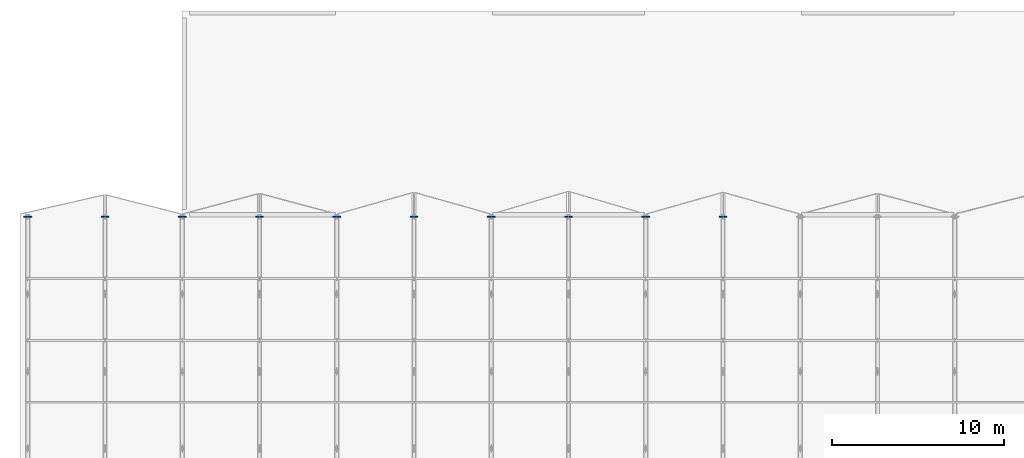
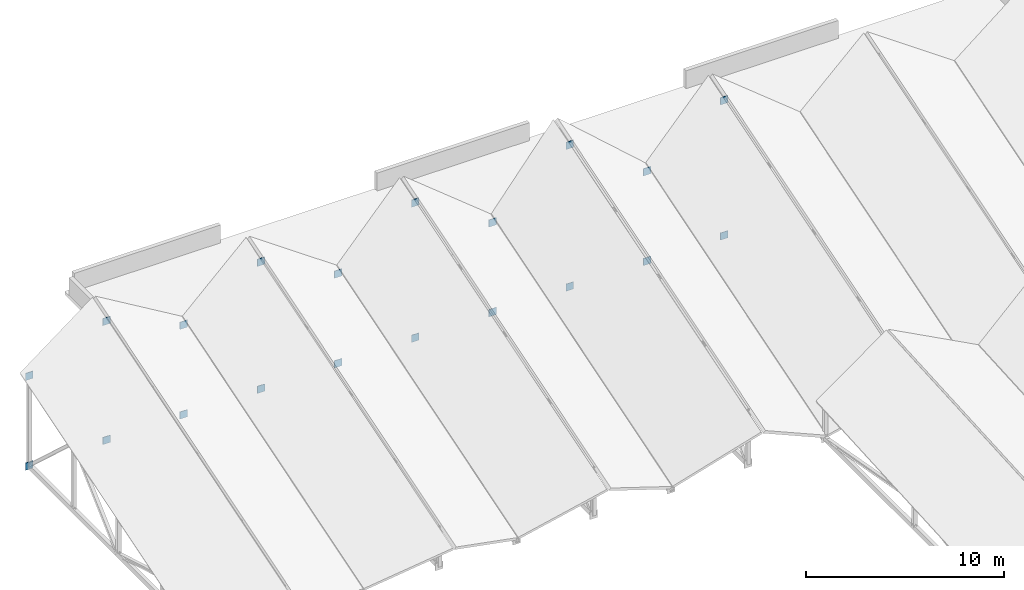
# One storey, part 124 of 142: 20 plates.
"""IFC4 building model written with IfcOpenShell, lengths in metres."""

from ifc_helpers import new_model, si_unit, direction, frame, origin, origin_2d, place, context, subcontext, project, spatial, rectangle, extrude, material, layer, layer_set, type_object, element, save


model = new_model("IFC4")

# Units and contexts
model_context = context("Model", 3, precision=1e-05, world=origin(), true_north=direction((0.0, 1.0)))
body_context = subcontext(model_context, "Body", "Model", "MODEL_VIEW")
ifc_project = project(units=[si_unit("LENGTHUNIT", "METRE"), si_unit("AREAUNIT", "SQUARE_METRE"), si_unit("VOLUMEUNIT", "CUBIC_METRE"), si_unit("PLANEANGLEUNIT", "RADIAN"), si_unit("MASSUNIT", "GRAM", prefix="KILO")], contexts=[model_context])

# Site, building, storey
site_placement = place(None, origin())
site = spatial("IfcSite", under=ifc_project, at=site_placement, CompositionType="ELEMENT")
building_placement = place(site_placement, origin())
building = spatial("IfcBuilding", under=site, at=building_placement, Name="Montelvaro Courts of Justice", CompositionType="ELEMENT")
storey_placement = place(building_placement, frame((0.0, 0.0, 14.39990234375)))
storey = spatial("IfcBuildingStorey", under=building, at=storey_placement, Name="L03", CompositionType="ELEMENT", Elevation=14.39990234375)

# Plates
ifc_material = material(Name="Steel S355", Category="steel")
ifc_layer = layer(ifc_material, 0.035888671875)
ifc_layer_set = layer_set([ifc_layer], Name="Steel S355")
plate_type = type_object("IfcPlateType", Name="EndCapPlate_36", PredefinedType="USERDEFINED", material=ifc_layer_set)
for number, where, z_axis, x_axis, name in (
    (1, (18.0, 96.0, -0.519775390625), (0.0, 0.0, 1.0), (1.0, 0.0, 0.0), "Roof Truss End Cap Plate CP-02 ROOF-V1-VTR01-B1"),
    (2, (18.0, 96.0, 5.010009765625), (0.0, 0.0, 1.0), (1.0, 0.0, 0.0), "Roof Truss End Cap Plate CP-02 ROOF-V1-VTR01-T1"),
    (3, (27.0, 96.0, -0.519775390625), (0.0, 0.0, 1.0), (1.0, 0.0, 0.0), "Roof Truss End Cap Plate CP-02 ROOF-V1-VTR02-B1"),
    (4, (27.0, 96.0, 5.010009765625), (0.0, 0.0, 1.0), (1.0, 0.0, 0.0), "Roof Truss End Cap Plate CP-02 ROOF-V1-VTR02-T1"),
    (5, (36.0, 96.0, -0.519775390625), (0.0, 0.0, 1.0), (1.0, 0.0, 0.0), "Roof Truss End Cap Plate CP-02 ROOF-V1-VTR03-B1"),
    (6, (36.0, 96.0, 5.010009765625), (0.0, 0.0, 1.0), (1.0, 0.0, 0.0), "Roof Truss End Cap Plate CP-02 ROOF-V1-VTR03-T1"),
    (7, (45.0, 96.0, -0.519775390625), (0.0, 0.0, 1.0), (1.0, 0.0, 0.0), "Roof Truss End Cap Plate CP-02 ROOF-V1-VTR04-B1"),
    (8, (45.0, 96.0, 5.010009765625), (0.0, 0.0, 1.0), (1.0, 0.0, 0.0), "Roof Truss End Cap Plate CP-02 ROOF-V1-VTR04-T1"),
    (9, (54.0, 96.0, -0.519775390625), (0.0, 0.0, 1.0), (1.0, 0.0, 0.0), "Roof Truss End Cap Plate CP-02 ROOF-V1-VTR05-B1"),
    (10, (54.0, 96.0, 5.010009765625), (0.0, 0.0, 1.0), (1.0, 0.0, 0.0), "Roof Truss End Cap Plate CP-02 ROOF-V1-VTR05-T1"),
    (11, (22.5, 96.0, -0.519775390625), (0.0, 0.0, 1.0), (1.0, 0.0, 0.0), "Roof Truss End Cap Plate CP-02 ROOF-V1-RTR01-B1"),
    (12, (22.5, 96.0, 6.81005859375), (0.0, 0.0, 1.0), (1.0, 0.0, 0.0), "Roof Truss End Cap Plate CP-02 ROOF-V1-RTR01-T1"),
    (13, (31.5, 96.0, -0.519775390625), (0.0, 0.0, 1.0), (1.0, 0.0, 0.0), "Roof Truss End Cap Plate CP-02 ROOF-V1-RTR02-B1"),
    (14, (31.5, 96.0, 7.31005859375), (0.0, 0.0, 1.0), (1.0, 0.0, 0.0), "Roof Truss End Cap Plate CP-02 ROOF-V1-RTR02-T1"),
    (15, (40.5, 96.0, -0.519775390625), (0.0, 0.0, 1.0), (1.0, 0.0, 0.0), "Roof Truss End Cap Plate CP-02 ROOF-V1-RTR03-B1"),
    (16, (40.5, 96.0, 7.81005859375), (0.0, 0.0, 1.0), (1.0, 0.0, 0.0), "Roof Truss End Cap Plate CP-02 ROOF-V1-RTR03-T1"),
    (17, (49.5, 96.0, -0.519775390625), (0.0, 0.0, 1.0), (1.0, 0.0, 0.0), "Roof Truss End Cap Plate CP-02 ROOF-V1-RTR04-B1"),
    (18, (49.5, 96.0, 8.210205078125), (0.0, 0.0, 1.0), (1.0, 0.0, 0.0), "Roof Truss End Cap Plate CP-02 ROOF-V1-RTR04-T1"),
    (19, (58.5, 96.0, -0.519775390625), (0.0, 0.0, 1.0), (1.0, 0.0, 0.0), "Roof Truss End Cap Plate CP-02 ROOF-V1-RTR05-B1"),
    (20, (58.5, 96.0, 7.81005859375), (0.0, 0.0, 1.0), (1.0, 0.0, 0.0), "Roof Truss End Cap Plate CP-02 ROOF-V1-RTR05-T1"),
):
    element("IfcPlate", number, at=place(storey_placement, frame(where, z_axis=z_axis, x_axis=x_axis)), inside=storey, type_object=plate_type, Name=name, ObjectType="GUSSET PLATE", PredefinedType="USERDEFINED", context=body_context, shape_type="SweptSolid", body=[
        extrude(rectangle(XDim=0.43994140625, YDim=0.035888671875, at=origin_2d()), origin(), (0.0, 0.0, 1.0), 0.43994140625),
    ])

save(model, "model.ifc")
